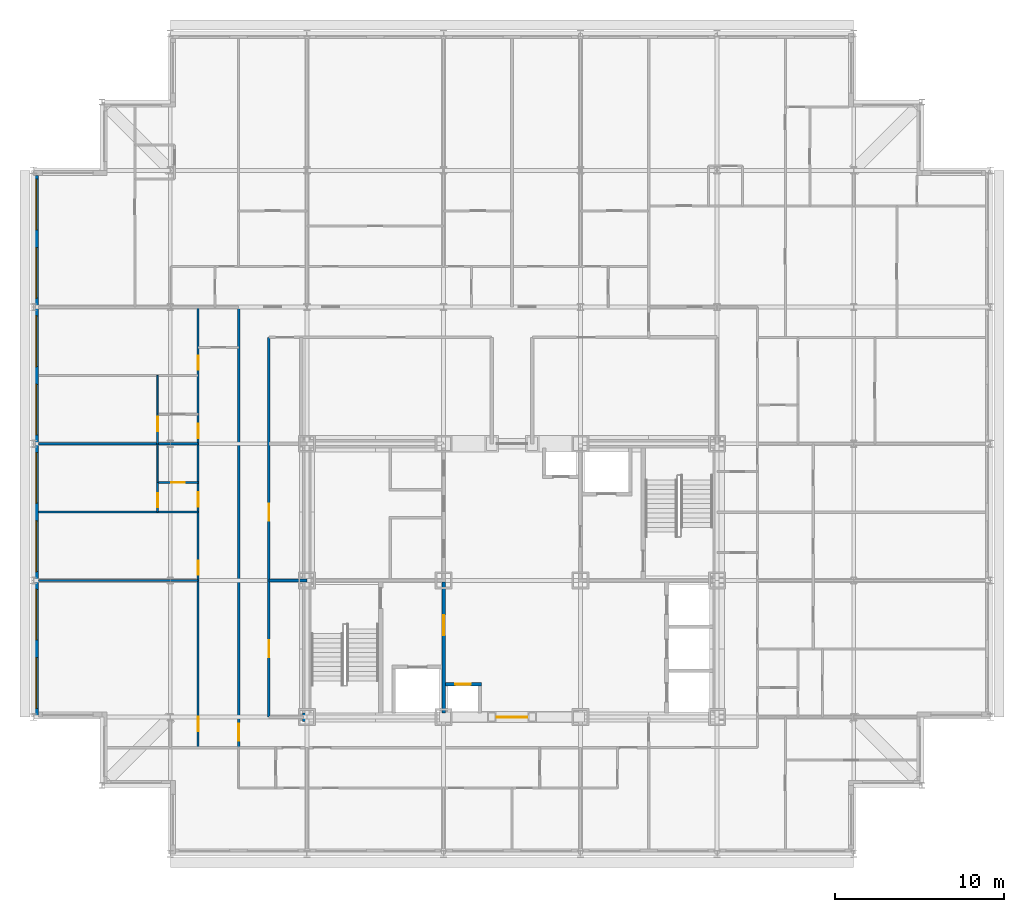
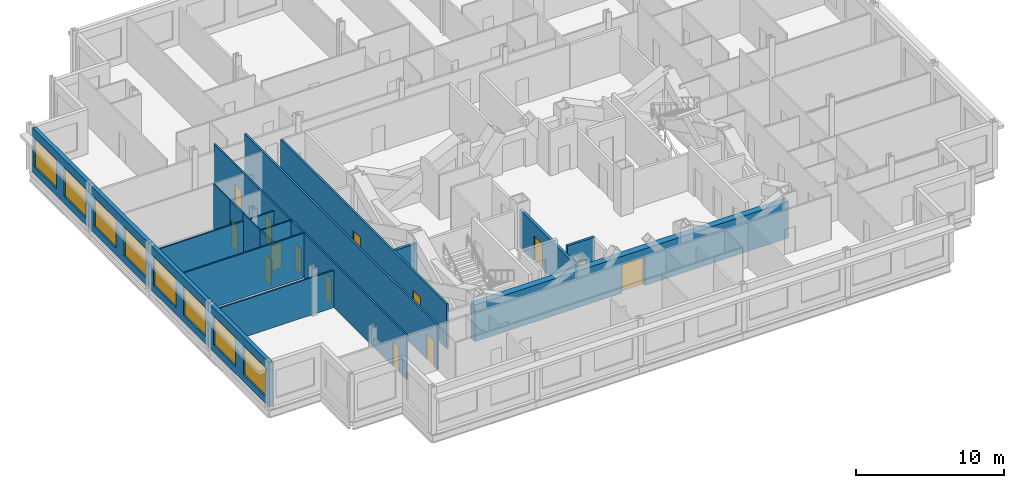
# One storey, part 8 of 15: 16 walls, 14 doors, 8 windows, 22 openings.
"""IFC4 building model written with IfcOpenShell, lengths in metres."""

from ifc_helpers import new_model, si_unit, direction, frame, frame_2d, origin, place, context, subcontext, project, spatial, rectangle, extrude, material, layer, layer_set, type_object, element, fill, save


model = new_model("IFC4")

# Units and contexts
model_context = context("Model", 3, precision=1e-05, world=origin(), true_north=direction((0.0, 1.0)))
body_context = subcontext(model_context, "Body", "Model", "MODEL_VIEW")
ifc_project = project(units=[si_unit("LENGTHUNIT", "METRE"), si_unit("AREAUNIT", "SQUARE_METRE"), si_unit("VOLUMEUNIT", "CUBIC_METRE"), si_unit("PLANEANGLEUNIT", "RADIAN"), si_unit("MASSUNIT", "GRAM", prefix="KILO")], contexts=[model_context])

# Site, building, storey
site_placement = place(None, origin())
site = spatial("IfcSite", under=ifc_project, at=site_placement, CompositionType="ELEMENT")
building_placement = place(site_placement, origin())
building = spatial("IfcBuilding", under=site, at=building_placement, Name="Kopane Lantern Tower", CompositionType="ELEMENT")
storey_placement = place(building_placement, frame((0.0, 0.0, 285.300048828125)))
storey = spatial("IfcBuildingStorey", under=building, at=storey_placement, Name="L73", CompositionType="ELEMENT", Elevation=285.300048828125)

# Wall, openings, doors
ifc_material_1 = material(Name="Gypsum board on steel studs", Category="steel")
ifc_layer_1 = layer(ifc_material_1, 0.1201171875)
ifc_layer_set_1 = layer_set([ifc_layer_1], Name="APARTMENT INTERNAL WALL 120")
wall_type_1 = type_object("IfcWallType", Name="APARTMENT INTERNAL WALL 120", PredefinedType="PARTITIONING", material=ifc_layer_set_1)
wall_1_placement = place(storey_placement, frame((9.75, 22.5, 0.0), z_axis=(0.0, 0.0, 1.0), x_axis=(0.0, 1.0, 0.0)))
wall_1 = element("IfcWall", 1, at=wall_1_placement, inside=storey, type_object=wall_type_1, Name="Apartment Internal Wall 120 L73", PredefinedType="PARTITIONING", context=body_context, shape_type="SweptSolid", body=[
    extrude(rectangle(XDim=26.10009765625, YDim=0.1201171875, at=frame_2d((13.050048828125, 0.0))), origin(), (0.0, 0.0, 1.0), 3.68994140625),
])
opening_1_placement = place(wall_1_placement, frame((0.97509765625, 0.0, 0.0)))
opening_1 = element("IfcOpeningElement", 2, at=opening_1_placement, cuts=wall_1, Name="Opening L73-023", PredefinedType="OPENING", context=body_context, shape_type="SweptSolid", body=[
    extrude(rectangle(XDim=0.85009765625, YDim=2.10009765625, at=frame_2d((0.425048828125, 1.050048828125))), frame((0.0, 0.070068359375, 0.0), z_axis=(0.0, -1.0, 0.0), x_axis=(1.0, 0.0, 0.0)), (0.0, 0.0, 1.0), 0.14013671875),
])
opening_2_placement = place(wall_1_placement, frame((10.22509765625, 0.0, 0.0)))
opening_2 = element("IfcOpeningElement", 3, at=opening_2_placement, cuts=wall_1, Name="Opening L73-024", PredefinedType="OPENING", context=body_context, shape_type="SweptSolid", body=[
    extrude(rectangle(XDim=0.85009765625, YDim=2.10009765625, at=frame_2d((0.425048828125, 1.050048828125))), frame((0.0, 0.070068359375, 0.0), z_axis=(0.0, -1.0, 0.0), x_axis=(1.0, 0.0, 0.0)), (0.0, 0.0, 1.0), 0.14013671875),
])
opening_3_placement = place(wall_1_placement, frame((14.27490234375, 0.0, 0.0)))
opening_3 = element("IfcOpeningElement", 4, at=opening_3_placement, cuts=wall_1, Name="Opening L73-026", PredefinedType="OPENING", context=body_context, shape_type="SweptSolid", body=[
    extrude(rectangle(XDim=0.85009765625, YDim=2.10009765625, at=frame_2d((0.425048828125, 1.050048828125))), frame((0.0, 0.070068359375, 0.0), z_axis=(0.0, -1.0, 0.0), x_axis=(1.0, 0.0, 0.0)), (0.0, 0.0, 1.0), 0.14013671875),
])
opening_4_placement = place(wall_1_placement, frame((18.324951171875, 0.0, 0.0)))
opening_4 = element("IfcOpeningElement", 5, at=opening_4_placement, cuts=wall_1, Name="Opening L73-028", PredefinedType="OPENING", context=body_context, shape_type="SweptSolid", body=[
    extrude(rectangle(XDim=0.85009765625, YDim=2.10009765625, at=frame_2d((0.425048828125, 1.050048828125))), frame((0.0, 0.070068359375, 0.0), z_axis=(0.0, -1.0, 0.0), x_axis=(1.0, 0.0, 0.0)), (0.0, 0.0, 1.0), 0.14013671875),
])
opening_5_placement = place(wall_1_placement, frame((22.375, 0.0, 0.0)))
opening_5 = element("IfcOpeningElement", 6, at=opening_5_placement, cuts=wall_1, Name="Opening L73-029", PredefinedType="OPENING", context=body_context, shape_type="SweptSolid", body=[
    extrude(rectangle(XDim=0.85009765625, YDim=2.10009765625, at=frame_2d((0.425048828125, 1.050048828125))), frame((0.0, 0.070068359375, 0.0), z_axis=(0.0, -1.0, 0.0), x_axis=(1.0, 0.0, 0.0)), (0.0, 0.0, 1.0), 0.14013671875),
])
ifc_material_2 = material(Name="Timber door set", Category="wood")
door_type_1 = type_object("IfcDoorType", Name="DOOR D4 850x2100", OperationType="SINGLE_SWING_LEFT", PredefinedType="DOOR", material=ifc_material_2)
door_1_placement = place(opening_1_placement, origin())
door_1 = element("IfcDoor", 7, at=door_1_placement, inside=storey, type_object=door_type_1, Name="Door L73-023", OperationType="SINGLE_SWING_RIGHT", OverallHeight=2.10009765625, OverallWidth=0.85009765625, PredefinedType="DOOR", context=body_context, shape_type="SweptSolid", body=[
    extrude(rectangle(XDim=0.85009765625, YDim=2.10009765625, at=frame_2d((0.425048828125, 1.050048828125))), frame((0.0, 0.02490234375, 0.0), z_axis=(0.0, -1.0, 0.0), x_axis=(1.0, 0.0, 0.0)), (0.0, 0.0, 1.0), 0.050048828125),
])
fill(opening_1, door_1)
door_2_placement = place(opening_2_placement, origin())
door_2 = element("IfcDoor", 8, at=door_2_placement, inside=storey, type_object=door_type_1, Name="Door L73-024", OperationType="SINGLE_SWING_LEFT", OverallHeight=2.10009765625, OverallWidth=0.85009765625, PredefinedType="DOOR", context=body_context, shape_type="SweptSolid", body=[
    extrude(rectangle(XDim=0.85009765625, YDim=2.10009765625, at=frame_2d((0.425048828125, 1.050048828125))), frame((0.0, 0.02490234375, 0.0), z_axis=(0.0, -1.0, 0.0), x_axis=(1.0, 0.0, 0.0)), (0.0, 0.0, 1.0), 0.050048828125),
])
fill(opening_2, door_2)
door_3_placement = place(opening_3_placement, origin())
door_3 = element("IfcDoor", 9, at=door_3_placement, inside=storey, type_object=door_type_1, Name="Door L73-026", OperationType="SINGLE_SWING_LEFT", OverallHeight=2.10009765625, OverallWidth=0.85009765625, PredefinedType="DOOR", context=body_context, shape_type="SweptSolid", body=[
    extrude(rectangle(XDim=0.85009765625, YDim=2.10009765625, at=frame_2d((0.425048828125, 1.050048828125))), frame((0.0, 0.02490234375, 0.0), z_axis=(0.0, -1.0, 0.0), x_axis=(1.0, 0.0, 0.0)), (0.0, 0.0, 1.0), 0.050048828125),
])
fill(opening_3, door_3)
door_4_placement = place(opening_4_placement, origin())
door_4 = element("IfcDoor", 10, at=door_4_placement, inside=storey, type_object=door_type_1, Name="Door L73-028", OperationType="SINGLE_SWING_LEFT", OverallHeight=2.10009765625, OverallWidth=0.85009765625, PredefinedType="DOOR", context=body_context, shape_type="SweptSolid", body=[
    extrude(rectangle(XDim=0.85009765625, YDim=2.10009765625, at=frame_2d((0.425048828125, 1.050048828125))), frame((0.0, 0.02490234375, 0.0), z_axis=(0.0, -1.0, 0.0), x_axis=(1.0, 0.0, 0.0)), (0.0, 0.0, 1.0), 0.050048828125),
])
fill(opening_4, door_4)
door_5_placement = place(opening_5_placement, origin())
door_5 = element("IfcDoor", 11, at=door_5_placement, inside=storey, type_object=door_type_1, Name="Door L73-029", OperationType="SINGLE_SWING_LEFT", OverallHeight=2.10009765625, OverallWidth=0.85009765625, PredefinedType="DOOR", context=body_context, shape_type="SweptSolid", body=[
    extrude(rectangle(XDim=0.85009765625, YDim=2.10009765625, at=frame_2d((0.425048828125, 1.050048828125))), frame((0.0, 0.02490234375, 0.0), z_axis=(0.0, -1.0, 0.0), x_axis=(1.0, 0.0, 0.0)), (0.0, 0.0, 1.0), 0.050048828125),
])
fill(opening_5, door_5)

# Walls
wall_2_placement = place(storey_placement, frame((9.75, 32.39990234375, 0.0), z_axis=(0.0, 0.0, 1.0), x_axis=(-1.0, 0.0, 0.0)))
element("IfcWall", 12, at=wall_2_placement, inside=storey, type_object=wall_type_1, Name="Apartment Internal Wall 120 L73", PredefinedType="PARTITIONING", context=body_context, shape_type="SweptSolid", body=[
    extrude(rectangle(XDim=9.449951171875, YDim=0.1201171875, at=frame_2d((4.72509765625, 0.0))), origin(), (0.0, 0.0, 1.0), 3.07763671875),
])
wall_3_placement = place(storey_placement, frame((9.75, 36.449951171875, 0.0), z_axis=(0.0, 0.0, 1.0), x_axis=(-1.0, 0.0, 0.0)))
element("IfcWall", 13, at=wall_3_placement, inside=storey, type_object=wall_type_1, Name="Apartment Internal Wall 120 L73", PredefinedType="PARTITIONING", context=body_context, shape_type="SweptSolid", body=[
    extrude(rectangle(XDim=9.449951171875, YDim=0.1201171875, at=frame_2d((4.72509765625, 0.0))), origin(), (0.0, 0.0, 1.0), 3.68994140625),
])
wall_4_placement = place(storey_placement, frame((9.75, 40.5, 0.0), z_axis=(0.0, 0.0, 1.0), x_axis=(-1.0, 0.0, 0.0)))
element("IfcWall", 14, at=wall_4_placement, inside=storey, type_object=wall_type_1, Name="Apartment Internal Wall 120 L73", PredefinedType="PARTITIONING", context=body_context, shape_type="SweptSolid", body=[
    extrude(rectangle(XDim=9.449951171875, YDim=0.1201171875, at=frame_2d((4.72509765625, 0.0))), origin(), (0.0, 0.0, 1.0), 3.07763671875),
])

# Wall, opening, door
wall_5_placement = place(storey_placement, frame((7.35009765625, 36.449951171875, 0.0), z_axis=(0.0, 0.0, 1.0), x_axis=(0.0, 1.0, 0.0)))
wall_5 = element("IfcWall", 15, at=wall_5_placement, inside=storey, type_object=wall_type_1, Name="Apartment Internal Wall 120 L73", PredefinedType="PARTITIONING", context=body_context, shape_type="SweptSolid", body=[
    extrude(rectangle(XDim=1.760009765625, YDim=0.1201171875, at=frame_2d((0.8798828125, 0.0))), origin(), (0.0, 0.0, 1.0), 3.68994140625),
])
opening_6_placement = place(wall_5_placement, frame((0.27490234375, 0.0, 0.0)))
opening_6 = element("IfcOpeningElement", 16, at=opening_6_placement, cuts=wall_5, Name="Opening L73-054", PredefinedType="OPENING", context=body_context, shape_type="SweptSolid", body=[
    extrude(rectangle(XDim=0.85009765625, YDim=2.10009765625, at=frame_2d((0.425048828125, 1.050048828125))), frame((0.0, 0.070068359375, 0.0), z_axis=(0.0, -1.0, 0.0), x_axis=(1.0, 0.0, 0.0)), (0.0, 0.0, 1.0), 0.14013671875),
])
door_6_placement = place(opening_6_placement, origin())
door_6 = element("IfcDoor", 17, at=door_6_placement, inside=storey, type_object=door_type_1, Name="Door L73-054", OperationType="SINGLE_SWING_LEFT", OverallHeight=2.10009765625, OverallWidth=0.85009765625, PredefinedType="DOOR", context=body_context, shape_type="SweptSolid", body=[
    extrude(rectangle(XDim=0.85009765625, YDim=2.10009765625, at=frame_2d((0.425048828125, 1.050048828125))), frame((0.0, 0.02490234375, 0.0), z_axis=(0.0, -1.0, 0.0), x_axis=(1.0, 0.0, 0.0)), (0.0, 0.0, 1.0), 0.050048828125),
])
fill(opening_6, door_6)

wall_6_placement = place(storey_placement, frame((7.35009765625, 40.5, 0.0), z_axis=(0.0, 0.0, 1.0), x_axis=(0.0, 1.0, 0.0)))
wall_6 = element("IfcWall", 18, at=wall_6_placement, inside=storey, type_object=wall_type_1, Name="Apartment Internal Wall 120 L73", PredefinedType="PARTITIONING", context=body_context, shape_type="SweptSolid", body=[
    extrude(rectangle(XDim=1.760009765625, YDim=0.1201171875, at=frame_2d((0.8798828125, 0.0))), origin(), (0.0, 0.0, 1.0), 3.68994140625),
])
opening_7_placement = place(wall_6_placement, frame((0.75, 0.0, 0.0)))
opening_7 = element("IfcOpeningElement", 19, at=opening_7_placement, cuts=wall_6, Name="Opening L73-055", PredefinedType="OPENING", context=body_context, shape_type="SweptSolid", body=[
    extrude(rectangle(XDim=0.85009765625, YDim=2.10009765625, at=frame_2d((0.425048828125, 1.050048828125))), frame((0.0, 0.070068359375, 0.0), z_axis=(0.0, -1.0, 0.0), x_axis=(1.0, 0.0, 0.0)), (0.0, 0.0, 1.0), 0.14013671875),
])
door_7_placement = place(opening_7_placement, origin())
door_7 = element("IfcDoor", 20, at=door_7_placement, inside=storey, type_object=door_type_1, Name="Door L73-055", OperationType="SINGLE_SWING_LEFT", OverallHeight=2.10009765625, OverallWidth=0.85009765625, PredefinedType="DOOR", context=body_context, shape_type="SweptSolid", body=[
    extrude(rectangle(XDim=0.85009765625, YDim=2.10009765625, at=frame_2d((0.425048828125, 1.050048828125))), frame((0.0, 0.02490234375, 0.0), z_axis=(0.0, -1.0, 0.0), x_axis=(1.0, 0.0, 0.0)), (0.0, 0.0, 1.0), 0.050048828125),
])
fill(opening_7, door_7)

ifc_material_3 = material(Name="Moisture-resistant board on steel studs", Category="steel")
ifc_layer_2 = layer(ifc_material_3, 0.10009765625)
ifc_layer_set_2 = layer_set([ifc_layer_2], Name="BATHROOM WALL 100")
wall_type_2 = type_object("IfcWallType", Name="BATHROOM WALL 100", PredefinedType="PARTITIONING", material=ifc_layer_set_2)
wall_7_placement = place(storey_placement, frame((9.75, 38.199951171875, 0.0), z_axis=(0.0, 0.0, 1.0), x_axis=(-1.0, 0.0, 0.0)))
wall_7 = element("IfcWall", 21, at=wall_7_placement, inside=storey, type_object=wall_type_2, Name="Bathroom Wall 100 L73", PredefinedType="PARTITIONING", context=body_context, shape_type="SweptSolid", body=[
    extrude(rectangle(XDim=2.39990234375, YDim=0.10009765625, at=frame_2d((1.199951171875, 0.0))), origin(), (0.0, 0.0, 1.0), 3.68994140625),
])
opening_8_placement = place(wall_7_placement, frame((0.800048828125, 0.0, 0.0)))
opening_8 = element("IfcOpeningElement", 22, at=opening_8_placement, cuts=wall_7, Name="Opening L73-025", PredefinedType="OPENING", context=body_context, shape_type="SweptSolid", body=[
    extrude(rectangle(XDim=0.800048828125, YDim=2.10009765625, at=frame_2d((0.39990234375, 1.050048828125))), frame((0.0, 0.06005859375, 0.0), z_axis=(0.0, -1.0, 0.0), x_axis=(1.0, 0.0, 0.0)), (0.0, 0.0, 1.0), 0.1201171875),
])
ifc_material_4 = material(Name="Timber door set", Category="wood")
door_type_2 = type_object("IfcDoorType", Name="DOOR D2 800x2100", OperationType="SINGLE_SWING_LEFT", PredefinedType="DOOR", material=ifc_material_4)
door_8_placement = place(opening_8_placement, origin())
door_8 = element("IfcDoor", 23, at=door_8_placement, inside=storey, type_object=door_type_2, Name="Door L73-025", OperationType="SINGLE_SWING_RIGHT", OverallHeight=2.10009765625, OverallWidth=0.800048828125, PredefinedType="DOOR", context=body_context, shape_type="SweptSolid", body=[
    extrude(rectangle(XDim=0.800048828125, YDim=2.10009765625, at=frame_2d((0.39990234375, 1.050048828125))), frame((0.0, 0.02490234375, 0.0), z_axis=(0.0, -1.0, 0.0), x_axis=(1.0, 0.0, 0.0)), (0.0, 0.0, 1.0), 0.050048828125),
])
fill(opening_8, door_8)

# Walls
for number, where, z_axis, x_axis, name in (
    (24, (7.35009765625, 38.199951171875, 0.0), (0.0, 0.0, 1.0), (0.0, 1.0, 0.0), "Bathroom Wall 100 L73"),
    (25, (7.35009765625, 42.25, 0.0), (0.0, 0.0, 1.0), (0.0, 1.0, 0.0), "Bathroom Wall 100 L73"),
):
    element("IfcWall", number, at=place(storey_placement, frame(where, z_axis=z_axis, x_axis=x_axis)), inside=storey, type_object=wall_type_2, Name=name, PredefinedType="PARTITIONING", context=body_context, shape_type="SweptSolid", body=[
        extrude(rectangle(XDim=2.300048828125, YDim=0.10009765625, at=frame_2d((1.14990234375, 0.0))), origin(), (0.0, 0.0, 1.0), 3.68994140625),
    ])

# Wall, opening, door
ifc_material_5 = material(Name="Gypsum shaft wall EI 120", Category="gypsum")
ifc_layer_3 = layer(ifc_material_5, 0.5)
ifc_layer_set_3 = layer_set([ifc_layer_3], Name="CORE PERIMETER WALL 500 EI 120")
wall_type_3 = type_object("IfcWallType", Name="CORE PERIMETER WALL 500 EI 120", PredefinedType="SOLIDWALL", material=ifc_layer_set_3)
wall_8_placement = place(storey_placement, frame((15.949951171875, 24.300048828125, 0.0), z_axis=(0.0, 0.0, 1.0), x_axis=(1.0, 0.0, 0.0)))
wall_8 = element("IfcWall", 26, at=wall_8_placement, inside=storey, type_object=wall_type_3, Name="Core shaft wall L73 PS", PredefinedType="SOLIDWALL", context=body_context, shape_type="SweptSolid", body=[
    extrude(rectangle(XDim=24.550048828125, YDim=0.5, at=frame_2d((12.27490234375, 0.0))), origin(), (0.0, 0.0, 1.0), 3.0400390625),
])
opening_9_placement = place(wall_8_placement, frame((11.5, 0.0, 0.0)))
opening_9 = element("IfcOpeningElement", 27, at=opening_9_placement, cuts=wall_8, Name="Opening 73.CE-S", PredefinedType="OPENING", context=body_context, shape_type="SweptSolid", body=[
    extrude(rectangle(XDim=1.800048828125, YDim=2.39990234375, at=frame_2d((0.89990234375, 1.199951171875))), frame((0.0, 0.260009765625, 0.0), z_axis=(0.0, -1.0, 0.0), x_axis=(1.0, 0.0, 0.0)), (0.0, 0.0, 1.0), 0.52001953125),
])
ifc_material_6 = material(Name="Steel door set", Category="steel")
door_type_3 = type_object("IfcDoorType", Name="CORE ENTRY DOOR 1800x2400 FD60S", OperationType="DOUBLE_DOOR_SINGLE_SWING", PredefinedType="DOOR", material=ifc_material_6)
door_9_placement = place(opening_9_placement, origin())
door_9 = element("IfcDoor", 28, at=door_9_placement, inside=storey, type_object=door_type_3, Name="Core entry door L73 south", OperationType="DOUBLE_DOOR_SINGLE_SWING", OverallHeight=2.39990234375, OverallWidth=1.800048828125, PredefinedType="DOOR", context=body_context, shape_type="SweptSolid", body=[
    extrude(rectangle(XDim=1.800048828125, YDim=2.39990234375, at=frame_2d((0.89990234375, 1.199951171875))), frame((0.0, 0.02490234375, 0.0), z_axis=(0.0, -1.0, 0.0), x_axis=(1.0, 0.0, 0.0)), (0.0, 0.0, 1.0), 0.050048828125),
])
fill(opening_9, door_9)

ifc_material_7 = material(Name="Gypsum board on steel studs", Category="steel")
ifc_layer_4 = layer(ifc_material_7, 0.14990234375)
ifc_layer_set_4 = layer_set([ifc_layer_4], Name="CORRIDOR WALL 150 EI 60")
wall_type_4 = type_object("IfcWallType", Name="CORRIDOR WALL 150 EI 60", PredefinedType="PARTITIONING", material=ifc_layer_set_4)
wall_9_placement = place(storey_placement, frame((12.14990234375, 22.5, 0.0), z_axis=(0.0, 0.0, 1.0), x_axis=(0.0, 1.0, 0.0)))
wall_9 = element("IfcWall", 29, at=wall_9_placement, inside=storey, type_object=wall_type_4, Name="Corridor Wall 150 Ei 60 L73", PredefinedType="PARTITIONING", context=body_context, shape_type="SweptSolid", body=[
    extrude(rectangle(XDim=26.10009765625, YDim=0.14990234375, at=frame_2d((13.050048828125, 0.0))), origin(), (0.0, 0.0, 1.0), 3.68994140625),
])
opening_10_placement = place(wall_9_placement, frame((0.39990234375, 0.0, 0.0)))
opening_10 = element("IfcOpeningElement", 30, at=opening_10_placement, cuts=wall_9, Name="Opening L73-022", PredefinedType="OPENING", context=body_context, shape_type="SweptSolid", body=[
    extrude(rectangle(XDim=1.0, YDim=2.10009765625, at=frame_2d((0.5, 1.050048828125))), frame((0.0, 0.0849609375, 0.0), z_axis=(0.0, -1.0, 0.0), x_axis=(1.0, 0.0, 0.0)), (0.0, 0.0, 1.0), 0.169921875),
])
ifc_material_8 = material(Name="Steel door set", Category="steel")
door_type_4 = type_object("IfcDoorType", Name="DOOR D3 1000x2100 FD30S", OperationType="SINGLE_SWING_LEFT", PredefinedType="DOOR", material=ifc_material_8)
door_10_placement = place(opening_10_placement, origin())
door_10 = element("IfcDoor", 31, at=door_10_placement, inside=storey, type_object=door_type_4, Name="Door L73-022", OperationType="SINGLE_SWING_LEFT", OverallHeight=2.10009765625, OverallWidth=1.0, PredefinedType="DOOR", context=body_context, shape_type="SweptSolid", body=[
    extrude(rectangle(XDim=1.0, YDim=2.10009765625, at=frame_2d((0.5, 1.050048828125))), frame((0.0, 0.02490234375, 0.0), z_axis=(0.0, -1.0, 0.0), x_axis=(1.0, 0.0, 0.0)), (0.0, 0.0, 1.0), 0.050048828125),
])
fill(opening_10, door_10)

# Wall, openings, doors
wall_10_placement = place(storey_placement, frame((13.949951171875, 24.300048828125, 0.0), z_axis=(0.0, 0.0, 1.0), x_axis=(0.0, 1.0, 0.0)))
wall_10 = element("IfcWall", 32, at=wall_10_placement, inside=storey, type_object=wall_type_4, Name="Corridor Wall 150 Ei 60 L73", PredefinedType="PARTITIONING", context=body_context, shape_type="SweptSolid", body=[
    extrude(rectangle(XDim=22.5, YDim=0.14990234375, at=frame_2d((11.25, 0.0))), origin(), (0.0, 0.0, 1.0), 3.68994140625),
])
opening_11_placement = place(wall_10_placement, frame((3.550048828125, 0.0, 0.0)))
opening_11 = element("IfcOpeningElement", 33, at=opening_11_placement, cuts=wall_10, Name="Opening L73-001", PredefinedType="OPENING", context=body_context, shape_type="SweptSolid", body=[
    extrude(rectangle(XDim=1.0, YDim=2.10009765625, at=frame_2d((0.5, 1.050048828125))), frame((0.0, 0.0849609375, 0.0), z_axis=(0.0, -1.0, 0.0), x_axis=(1.0, 0.0, 0.0)), (0.0, 0.0, 1.0), 0.169921875),
])
opening_12_placement = place(wall_10_placement, frame((11.64990234375, 0.0, 0.0)))
opening_12 = element("IfcOpeningElement", 34, at=opening_12_placement, cuts=wall_10, Name="Opening L73-002", PredefinedType="OPENING", context=body_context, shape_type="SweptSolid", body=[
    extrude(rectangle(XDim=1.0, YDim=2.10009765625, at=frame_2d((0.5, 1.050048828125))), frame((0.0, 0.0849609375, 0.0), z_axis=(0.0, -1.0, 0.0), x_axis=(1.0, 0.0, 0.0)), (0.0, 0.0, 1.0), 0.169921875),
])
ifc_material_9 = material(Name="Steel door set", Category="steel")
door_type_5 = type_object("IfcDoorType", Name="DOOR D5 1000x2100 FD60", OperationType="SINGLE_SWING_LEFT", PredefinedType="DOOR", material=ifc_material_9)
door_11_placement = place(opening_11_placement, origin())
door_11 = element("IfcDoor", 35, at=door_11_placement, inside=storey, type_object=door_type_5, Name="Door L73-001", OperationType="SINGLE_SWING_RIGHT", OverallHeight=2.10009765625, OverallWidth=1.0, PredefinedType="DOOR", context=body_context, shape_type="SweptSolid", body=[
    extrude(rectangle(XDim=1.0, YDim=2.10009765625, at=frame_2d((0.5, 1.050048828125))), frame((0.0, 0.02490234375, 0.0), z_axis=(0.0, -1.0, 0.0), x_axis=(1.0, 0.0, 0.0)), (0.0, 0.0, 1.0), 0.050048828125),
])
fill(opening_11, door_11)
door_12_placement = place(opening_12_placement, origin())
door_12 = element("IfcDoor", 36, at=door_12_placement, inside=storey, type_object=door_type_5, Name="Door L73-002", OperationType="SINGLE_SWING_LEFT", OverallHeight=2.10009765625, OverallWidth=1.0, PredefinedType="DOOR", context=body_context, shape_type="SweptSolid", body=[
    extrude(rectangle(XDim=1.0, YDim=2.10009765625, at=frame_2d((0.5, 1.050048828125))), frame((0.0, 0.02490234375, 0.0), z_axis=(0.0, -1.0, 0.0), x_axis=(1.0, 0.0, 0.0)), (0.0, 0.0, 1.0), 0.050048828125),
])
fill(opening_12, door_12)

# Wall, openings, windows
ifc_material_10 = material(Name="Terracotta rainscreen on light steel framing", Category="masonry")
ifc_layer_5 = layer(ifc_material_10, 0.300048828125)
ifc_layer_set_5 = layer_set([ifc_layer_5], Name="EXTERNAL WALL EW1 300 TERRACOTTA")
wall_type_5 = type_object("IfcWallType", Name="EXTERNAL WALL EW1 300 TERRACOTTA", PredefinedType="SOLIDWALL", material=ifc_layer_set_5)
wall_11_placement = place(storey_placement, frame((0.14990234375, 56.39990234375, 0.0), z_axis=(0.0, 0.0, 1.0), x_axis=(0.0, -1.0, 0.0)))
wall_11 = element("IfcWall", 37, at=wall_11_placement, inside=storey, type_object=wall_type_5, Name="External wall W L73", PredefinedType="SOLIDWALL", context=body_context, shape_type="SweptSolid", body=[
    extrude(rectangle(XDim=32.099853515625, YDim=0.300048828125, at=frame_2d((16.0498046875, 0.0))), origin(), (0.0, 0.0, 1.0), 3.68994140625),
])
opening_13_placement = place(wall_11_placement, frame((0.22509765625, 0.0, 0.60009765625)))
opening_13 = element("IfcOpeningElement", 38, at=opening_13_placement, cuts=wall_11, Name="Opening WR300240", PredefinedType="OPENING", context=body_context, shape_type="SweptSolid", body=[
    extrude(rectangle(XDim=3.0, YDim=2.39990234375, at=frame_2d((1.5, 1.199951171875))), frame((0.0, 0.159912109375, 0.0), z_axis=(0.0, -1.0, 0.0), x_axis=(1.0, 0.0, 0.0)), (0.0, 0.0, 1.0), 0.320068359375),
])
opening_14_placement = place(wall_11_placement, frame((4.27490234375, 0.0, 0.60009765625)))
opening_14 = element("IfcOpeningElement", 39, at=opening_14_placement, cuts=wall_11, Name="Opening WR300240", PredefinedType="OPENING", context=body_context, shape_type="SweptSolid", body=[
    extrude(rectangle(XDim=3.0, YDim=2.39990234375, at=frame_2d((1.5, 1.199951171875))), frame((0.0, 0.159912109375, 0.0), z_axis=(0.0, -1.0, 0.0), x_axis=(1.0, 0.0, 0.0)), (0.0, 0.0, 1.0), 0.320068359375),
])
opening_15_placement = place(wall_11_placement, frame((8.324951171875, 0.0, 0.60009765625)))
opening_15 = element("IfcOpeningElement", 40, at=opening_15_placement, cuts=wall_11, Name="Opening WR300240", PredefinedType="OPENING", context=body_context, shape_type="SweptSolid", body=[
    extrude(rectangle(XDim=3.0, YDim=2.39990234375, at=frame_2d((1.5, 1.199951171875))), frame((0.0, 0.159912109375, 0.0), z_axis=(0.0, -1.0, 0.0), x_axis=(1.0, 0.0, 0.0)), (0.0, 0.0, 1.0), 0.320068359375),
])
opening_16_placement = place(wall_11_placement, frame((12.375, 0.0, 0.60009765625)))
opening_16 = element("IfcOpeningElement", 41, at=opening_16_placement, cuts=wall_11, Name="Opening WR300240", PredefinedType="OPENING", context=body_context, shape_type="SweptSolid", body=[
    extrude(rectangle(XDim=3.0, YDim=2.39990234375, at=frame_2d((1.5, 1.199951171875))), frame((0.0, 0.159912109375, 0.0), z_axis=(0.0, -1.0, 0.0), x_axis=(1.0, 0.0, 0.0)), (0.0, 0.0, 1.0), 0.320068359375),
])
opening_17_placement = place(wall_11_placement, frame((16.425048828125, 0.0, 0.60009765625)))
opening_17 = element("IfcOpeningElement", 42, at=opening_17_placement, cuts=wall_11, Name="Opening WR300240", PredefinedType="OPENING", context=body_context, shape_type="SweptSolid", body=[
    extrude(rectangle(XDim=3.0, YDim=2.39990234375, at=frame_2d((1.5, 1.199951171875))), frame((0.0, 0.159912109375, 0.0), z_axis=(0.0, -1.0, 0.0), x_axis=(1.0, 0.0, 0.0)), (0.0, 0.0, 1.0), 0.320068359375),
])
opening_18_placement = place(wall_11_placement, frame((20.47509765625, 0.0, 0.60009765625)))
opening_18 = element("IfcOpeningElement", 43, at=opening_18_placement, cuts=wall_11, Name="Opening WR300240", PredefinedType="OPENING", context=body_context, shape_type="SweptSolid", body=[
    extrude(rectangle(XDim=3.0, YDim=2.39990234375, at=frame_2d((1.5, 1.199951171875))), frame((0.0, 0.159912109375, 0.0), z_axis=(0.0, -1.0, 0.0), x_axis=(1.0, 0.0, 0.0)), (0.0, 0.0, 1.0), 0.320068359375),
])
opening_19_placement = place(wall_11_placement, frame((24.52490234375, 0.0, 0.60009765625)))
opening_19 = element("IfcOpeningElement", 44, at=opening_19_placement, cuts=wall_11, Name="Opening WR300240", PredefinedType="OPENING", context=body_context, shape_type="SweptSolid", body=[
    extrude(rectangle(XDim=3.0, YDim=2.39990234375, at=frame_2d((1.5, 1.199951171875))), frame((0.0, 0.159912109375, 0.0), z_axis=(0.0, -1.0, 0.0), x_axis=(1.0, 0.0, 0.0)), (0.0, 0.0, 1.0), 0.320068359375),
])
opening_20_placement = place(wall_11_placement, frame((28.574951171875, 0.0, 0.60009765625)))
opening_20 = element("IfcOpeningElement", 45, at=opening_20_placement, cuts=wall_11, Name="Opening WR300240", PredefinedType="OPENING", context=body_context, shape_type="SweptSolid", body=[
    extrude(rectangle(XDim=3.0, YDim=2.39990234375, at=frame_2d((1.5, 1.199951171875))), frame((0.0, 0.159912109375, 0.0), z_axis=(0.0, -1.0, 0.0), x_axis=(1.0, 0.0, 0.0)), (0.0, 0.0, 1.0), 0.320068359375),
])
ifc_material_11 = material(Name="Aluminium and clear glass", Category="aluminium")
window_type = type_object("IfcWindowType", Name="RIBBON WINDOW WR300240 3000x2400", PartitioningType="SINGLE_PANEL", PredefinedType="WINDOW", material=ifc_material_11)
window_1_placement = place(opening_13_placement, origin())
window_1 = element("IfcWindow", 46, at=window_1_placement, inside=storey, type_object=window_type, Name="Window W L73", OverallHeight=2.39990234375, OverallWidth=3.0, PartitioningType="SINGLE_PANEL", PredefinedType="WINDOW", context=body_context, shape_type="SweptSolid", body=[
    extrude(rectangle(XDim=3.0, YDim=2.39990234375, at=frame_2d((1.5, 1.199951171875))), frame((0.0, 0.030029296875, 0.0), z_axis=(0.0, -1.0, 0.0), x_axis=(1.0, 0.0, 0.0)), (0.0, 0.0, 1.0), 0.06005859375),
])
fill(opening_13, window_1)
window_2_placement = place(opening_14_placement, origin())
window_2 = element("IfcWindow", 47, at=window_2_placement, inside=storey, type_object=window_type, Name="Window W L73", OverallHeight=2.39990234375, OverallWidth=3.0, PartitioningType="SINGLE_PANEL", PredefinedType="WINDOW", context=body_context, shape_type="SweptSolid", body=[
    extrude(rectangle(XDim=3.0, YDim=2.39990234375, at=frame_2d((1.5, 1.199951171875))), frame((0.0, 0.030029296875, 0.0), z_axis=(0.0, -1.0, 0.0), x_axis=(1.0, 0.0, 0.0)), (0.0, 0.0, 1.0), 0.06005859375),
])
fill(opening_14, window_2)
window_3_placement = place(opening_15_placement, origin())
window_3 = element("IfcWindow", 48, at=window_3_placement, inside=storey, type_object=window_type, Name="Window W L73", OverallHeight=2.39990234375, OverallWidth=3.0, PartitioningType="SINGLE_PANEL", PredefinedType="WINDOW", context=body_context, shape_type="SweptSolid", body=[
    extrude(rectangle(XDim=3.0, YDim=2.39990234375, at=frame_2d((1.5, 1.199951171875))), frame((0.0, 0.030029296875, 0.0), z_axis=(0.0, -1.0, 0.0), x_axis=(1.0, 0.0, 0.0)), (0.0, 0.0, 1.0), 0.06005859375),
])
fill(opening_15, window_3)
window_4_placement = place(opening_16_placement, origin())
window_4 = element("IfcWindow", 49, at=window_4_placement, inside=storey, type_object=window_type, Name="Window W L73", OverallHeight=2.39990234375, OverallWidth=3.0, PartitioningType="SINGLE_PANEL", PredefinedType="WINDOW", context=body_context, shape_type="SweptSolid", body=[
    extrude(rectangle(XDim=3.0, YDim=2.39990234375, at=frame_2d((1.5, 1.199951171875))), frame((0.0, 0.030029296875, 0.0), z_axis=(0.0, -1.0, 0.0), x_axis=(1.0, 0.0, 0.0)), (0.0, 0.0, 1.0), 0.06005859375),
])
fill(opening_16, window_4)
window_5_placement = place(opening_17_placement, origin())
window_5 = element("IfcWindow", 50, at=window_5_placement, inside=storey, type_object=window_type, Name="Window W L73", OverallHeight=2.39990234375, OverallWidth=3.0, PartitioningType="SINGLE_PANEL", PredefinedType="WINDOW", context=body_context, shape_type="SweptSolid", body=[
    extrude(rectangle(XDim=3.0, YDim=2.39990234375, at=frame_2d((1.5, 1.199951171875))), frame((0.0, 0.030029296875, 0.0), z_axis=(0.0, -1.0, 0.0), x_axis=(1.0, 0.0, 0.0)), (0.0, 0.0, 1.0), 0.06005859375),
])
fill(opening_17, window_5)
window_6_placement = place(opening_18_placement, origin())
window_6 = element("IfcWindow", 51, at=window_6_placement, inside=storey, type_object=window_type, Name="Window W L73", OverallHeight=2.39990234375, OverallWidth=3.0, PartitioningType="SINGLE_PANEL", PredefinedType="WINDOW", context=body_context, shape_type="SweptSolid", body=[
    extrude(rectangle(XDim=3.0, YDim=2.39990234375, at=frame_2d((1.5, 1.199951171875))), frame((0.0, 0.030029296875, 0.0), z_axis=(0.0, -1.0, 0.0), x_axis=(1.0, 0.0, 0.0)), (0.0, 0.0, 1.0), 0.06005859375),
])
fill(opening_18, window_6)
window_7_placement = place(opening_19_placement, origin())
window_7 = element("IfcWindow", 52, at=window_7_placement, inside=storey, type_object=window_type, Name="Window W L73", OverallHeight=2.39990234375, OverallWidth=3.0, PartitioningType="SINGLE_PANEL", PredefinedType="WINDOW", context=body_context, shape_type="SweptSolid", body=[
    extrude(rectangle(XDim=3.0, YDim=2.39990234375, at=frame_2d((1.5, 1.199951171875))), frame((0.0, 0.030029296875, 0.0), z_axis=(0.0, -1.0, 0.0), x_axis=(1.0, 0.0, 0.0)), (0.0, 0.0, 1.0), 0.06005859375),
])
fill(opening_19, window_7)
window_8_placement = place(opening_20_placement, origin())
window_8 = element("IfcWindow", 53, at=window_8_placement, inside=storey, type_object=window_type, Name="Window W L73", OverallHeight=2.39990234375, OverallWidth=3.0, PartitioningType="SINGLE_PANEL", PredefinedType="WINDOW", context=body_context, shape_type="SweptSolid", body=[
    extrude(rectangle(XDim=3.0, YDim=2.39990234375, at=frame_2d((1.5, 1.199951171875))), frame((0.0, 0.030029296875, 0.0), z_axis=(0.0, -1.0, 0.0), x_axis=(1.0, 0.0, 0.0)), (0.0, 0.0, 1.0), 0.06005859375),
])
fill(opening_20, window_8)

# Wall
ifc_material_12 = material(Name="Concrete masonry", Category="masonry")
ifc_layer_6 = layer(ifc_material_12, 0.199951171875)
ifc_layer_set_6 = layer_set([ifc_layer_6], Name="PLANT ROOM WALL 200 EI 120")
wall_type_6 = type_object("IfcWallType", Name="PLANT ROOM WALL 200 EI 120", PredefinedType="SOLIDWALL", material=ifc_layer_set_6)
wall_12_placement = place(storey_placement, frame((13.949951171875, 32.39990234375, 0.0), z_axis=(0.0, 0.0, 1.0), x_axis=(1.0, 0.0, 0.0)))
element("IfcWall", 54, at=wall_12_placement, inside=storey, type_object=wall_type_6, Name="Plant Room Wall 200 Ei 120 L73", PredefinedType="SOLIDWALL", context=body_context, shape_type="SweptSolid", body=[
    extrude(rectangle(XDim=2.25, YDim=0.199951171875, at=frame_2d((1.125, 0.0))), origin(), (0.0, 0.0, 1.0), 3.07763671875),
])

# Wall, opening, door
ifc_material_13 = material(Name="Gypsum shaft wall EI 120", Category="gypsum")
ifc_layer_7 = layer(ifc_material_13, 0.199951171875)
ifc_layer_set_7 = layer_set([ifc_layer_7], Name="SHAFT WALL 200 EI 120")
wall_type_7 = type_object("IfcWallType", Name="SHAFT WALL 200 EI 120", PredefinedType="SOLIDWALL", material=ifc_layer_set_7)
wall_13_placement = place(storey_placement, frame((24.300048828125, 24.550048828125, 0.0), z_axis=(0.0, 0.0, 1.0), x_axis=(0.0, 1.0, 0.0)))
wall_13 = element("IfcWall", 55, at=wall_13_placement, inside=storey, type_object=wall_type_7, Name="Core shaft wall L73 X243", PredefinedType="SOLIDWALL", context=body_context, shape_type="SweptSolid", body=[
    extrude(rectangle(XDim=7.75, YDim=0.199951171875, at=frame_2d((3.875, 0.0))), origin(), (0.0, 0.0, 1.0), 3.07763671875),
])
opening_21_placement = place(wall_13_placement, frame((4.60009765625, 0.0, 0.0)))
opening_21 = element("IfcOpeningElement", 56, at=opening_21_placement, cuts=wall_13, Name="Opening 73.FL1", PredefinedType="OPENING", context=body_context, shape_type="SweptSolid", body=[
    extrude(rectangle(XDim=1.199951171875, YDim=2.10009765625, at=frame_2d((0.60009765625, 1.050048828125))), frame((0.0, 0.10986328125, 0.0), z_axis=(0.0, -1.0, 0.0), x_axis=(1.0, 0.0, 0.0)), (0.0, 0.0, 1.0), 0.219970703125),
])
ifc_material_14 = material(Name="Steel door set", Category="steel")
door_type_6 = type_object("IfcDoorType", Name="FIREFIGHTING LOBBY DOOR 1200x2100 FD60S", OperationType="SINGLE_SWING_RIGHT", PredefinedType="DOOR", material=ifc_material_14)
door_13_placement = place(opening_21_placement, origin())
door_13 = element("IfcDoor", 57, at=door_13_placement, inside=storey, type_object=door_type_6, Name="Firefighting lobby door FL1 L73", OperationType="SINGLE_SWING_LEFT", OverallHeight=2.10009765625, OverallWidth=1.199951171875, PredefinedType="DOOR", context=body_context, shape_type="SweptSolid", body=[
    extrude(rectangle(XDim=1.199951171875, YDim=2.10009765625, at=frame_2d((0.60009765625, 1.050048828125))), frame((0.0, 0.02490234375, 0.0), z_axis=(0.0, -1.0, 0.0), x_axis=(1.0, 0.0, 0.0)), (0.0, 0.0, 1.0), 0.050048828125),
])
fill(opening_21, door_13)

wall_14_placement = place(storey_placement, frame((24.39990234375, 26.25, 0.0), z_axis=(0.0, 0.0, 1.0), x_axis=(1.0, 0.0, 0.0)))
wall_14 = element("IfcWall", 58, at=wall_14_placement, inside=storey, type_object=wall_type_7, Name="Core shaft wall L73 YRS1", PredefinedType="SOLIDWALL", context=body_context, shape_type="SweptSolid", body=[
    extrude(rectangle(XDim=2.150146484375, YDim=0.199951171875, at=frame_2d((1.0751953125, 0.0))), origin(), (0.0, 0.0, 1.0), 3.68994140625),
])
opening_22_placement = place(wall_14_placement, frame((0.60009765625, 0.0, 0.0)))
opening_22 = element("IfcOpeningElement", 59, at=opening_22_placement, cuts=wall_14, Name="Opening 73.RS1", PredefinedType="OPENING", context=body_context, shape_type="SweptSolid", body=[
    extrude(rectangle(XDim=0.89990234375, YDim=2.10009765625, at=frame_2d((0.449951171875, 1.050048828125))), frame((0.0, 0.10986328125, 0.0), z_axis=(0.0, -1.0, 0.0), x_axis=(1.0, 0.0, 0.0)), (0.0, 0.0, 1.0), 0.219970703125),
])
ifc_material_15 = material(Name="Steel door set", Category="steel")
door_type_7 = type_object("IfcDoorType", Name="RISER ACCESS DOOR 900x2100 FD60", OperationType="SINGLE_SWING_LEFT", PredefinedType="DOOR", material=ifc_material_15)
door_14_placement = place(opening_22_placement, origin())
door_14 = element("IfcDoor", 60, at=door_14_placement, inside=storey, type_object=door_type_7, Name="Riser access door RS1 L73", OperationType="SINGLE_SWING_LEFT", OverallHeight=2.10009765625, OverallWidth=0.89990234375, PredefinedType="DOOR", context=body_context, shape_type="SweptSolid", body=[
    extrude(rectangle(XDim=0.89990234375, YDim=2.10009765625, at=frame_2d((0.449951171875, 1.050048828125))), frame((0.0, 0.02490234375, 0.0), z_axis=(0.0, -1.0, 0.0), x_axis=(1.0, 0.0, 0.0)), (0.0, 0.0, 1.0), 0.050048828125),
])
fill(opening_22, door_14)

save(model, "model.ifc")
